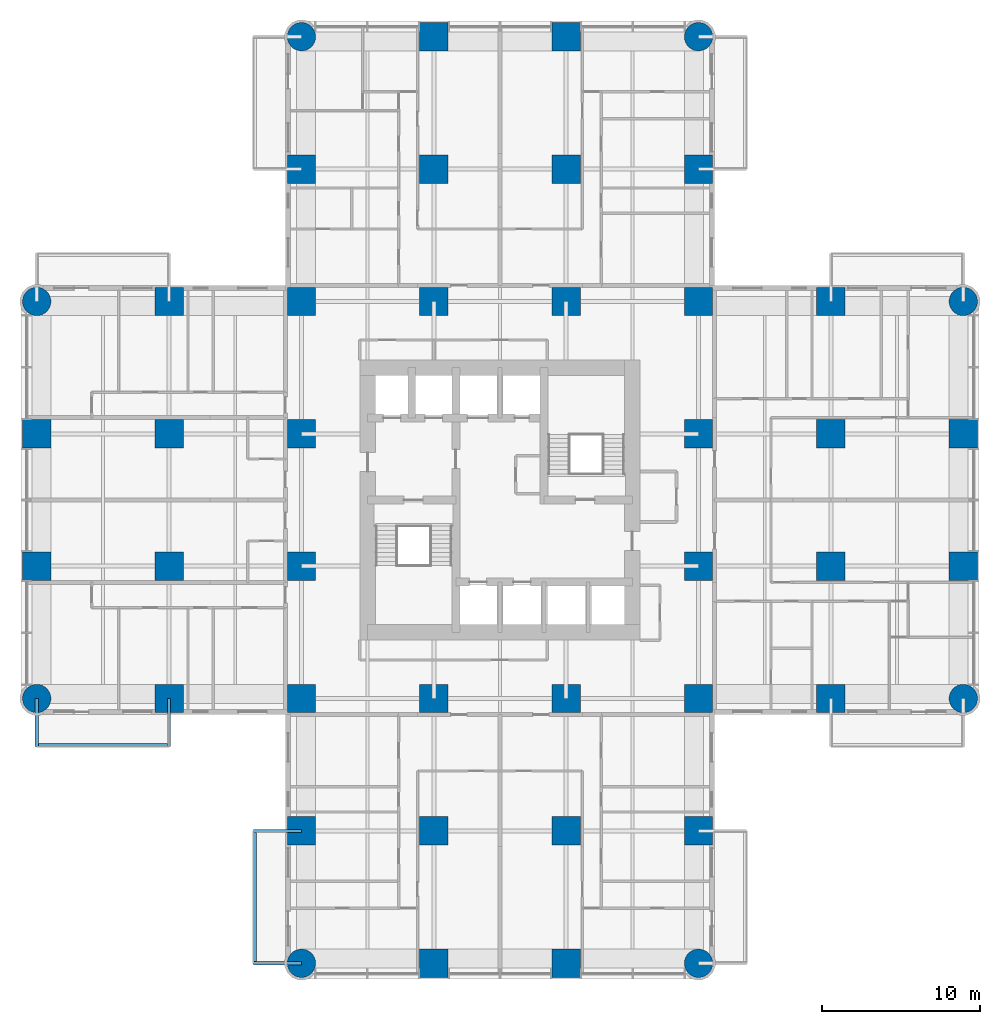
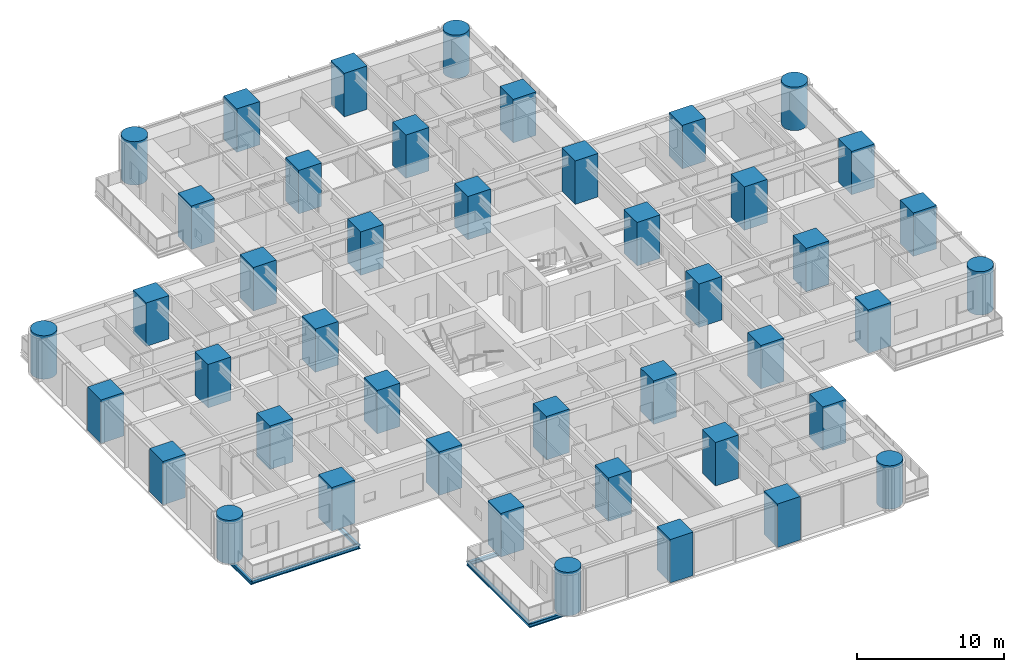
# One storey, part 1 of 17: 44 columns, 6 beams.
"""IFC4 building model written with IfcOpenShell, lengths in metres."""

from ifc_helpers import new_model, si_unit, direction, frame, origin, origin_2d, place, context, subcontext, project, spatial, rectangle, circle, i_section, extrude, material, material_profile, profile_set, type_object, element, save


model = new_model("IFC4")

# Units and contexts
model_context = context("Model", 3, precision=1e-05, world=origin(), true_north=direction((0.0, 1.0)))
body_context = subcontext(model_context, "Body", "Model", "MODEL_VIEW")
ifc_project = project(units=[si_unit("LENGTHUNIT", "METRE"), si_unit("AREAUNIT", "SQUARE_METRE"), si_unit("VOLUMEUNIT", "CUBIC_METRE"), si_unit("PLANEANGLEUNIT", "RADIAN"), si_unit("MASSUNIT", "GRAM", prefix="KILO")], contexts=[model_context])

# Site, building, storey
site_placement = place(None, origin())
site = spatial("IfcSite", under=ifc_project, at=site_placement, CompositionType="ELEMENT")
building_placement = place(site_placement, origin())
building = spatial("IfcBuilding", under=site, at=building_placement, Name="Torre Alcanfor", CompositionType="ELEMENT")
storey_placement = place(building_placement, frame((0.0, 0.0, 81.300048828125)))
storey = spatial("IfcBuildingStorey", under=building, at=storey_placement, Name="L20", CompositionType="ELEMENT", Elevation=81.300048828125)

# Columns
ifc_material_1 = material(Name="Concrete f'c 70 MPa", Category="concrete")
ifc_material_profile_1 = material_profile(ifc_material_1, rectangle(XDim=1.800048828125, YDim=1.800048828125, at=origin_2d()), Name="1800x1800")
ifc_profile_set_1 = profile_set([ifc_material_profile_1], Name="Concrete f'c 70 MPa")
column_type_1 = type_object("IfcColumnType", Name="RC column 1800x1800 f'c70", PredefinedType="COLUMN", material=ifc_profile_set_1)
for number, where, z_axis, x_axis, name in (
    (1, (0.0, 25.199951171875, 0.0), (0.0, 0.0, 1.0), (1.0, 0.0, 0.0), "Column 1/F L20"),
    (2, (0.0, 33.60009765625, 0.0), (0.0, 0.0, 1.0), (1.0, 0.0, 0.0), "Column 1/G L20"),
    (3, (8.39990234375, 16.800048828125, 0.0), (0.0, 0.0, 1.0), (1.0, 0.0, 0.0), "Column 2/E L20"),
    (4, (8.39990234375, 25.199951171875, 0.0), (0.0, 0.0, 1.0), (1.0, 0.0, 0.0), "Column 2/F L20"),
    (5, (8.39990234375, 33.60009765625, 0.0), (0.0, 0.0, 1.0), (1.0, 0.0, 0.0), "Column 2/G L20"),
    (6, (8.39990234375, 42.0, 0.0), (0.0, 0.0, 1.0), (1.0, 0.0, 0.0), "Column 2/H L20"),
    (7, (16.800048828125, 8.39990234375, 0.0), (0.0, 0.0, 1.0), (1.0, 0.0, 0.0), "Column 3/D L20"),
    (8, (16.800048828125, 16.800048828125, 0.0), (0.0, 0.0, 1.0), (1.0, 0.0, 0.0), "Column 3/E L20"),
    (9, (16.800048828125, 25.199951171875, 0.0), (0.0, 0.0, 1.0), (1.0, 0.0, 0.0), "Column 3/F L20"),
    (10, (16.800048828125, 33.60009765625, 0.0), (0.0, 0.0, 1.0), (1.0, 0.0, 0.0), "Column 3/G L20"),
    (11, (16.800048828125, 42.0, 0.0), (0.0, 0.0, 1.0), (1.0, 0.0, 0.0), "Column 3/H L20"),
    (12, (16.800048828125, 50.39990234375, 0.0), (0.0, 0.0, 1.0), (1.0, 0.0, 0.0), "Column 3/J L20"),
    (13, (25.199951171875, 0.0, 0.0), (0.0, 0.0, 1.0), (1.0, 0.0, 0.0), "Column 4/C L20"),
    (14, (25.199951171875, 8.39990234375, 0.0), (0.0, 0.0, 1.0), (1.0, 0.0, 0.0), "Column 4/D L20"),
    (15, (25.199951171875, 16.800048828125, 0.0), (0.0, 0.0, 1.0), (1.0, 0.0, 0.0), "Column 4/E L20"),
    (16, (25.199951171875, 42.0, 0.0), (0.0, 0.0, 1.0), (1.0, 0.0, 0.0), "Column 4/H L20"),
    (17, (25.199951171875, 50.39990234375, 0.0), (0.0, 0.0, 1.0), (1.0, 0.0, 0.0), "Column 4/J L20"),
    (18, (25.199951171875, 58.800048828125, 0.0), (0.0, 0.0, 1.0), (1.0, 0.0, 0.0), "Column 4/K L20"),
    (19, (33.60009765625, 0.0, 0.0), (0.0, 0.0, 1.0), (1.0, 0.0, 0.0), "Column 5/C L20"),
    (20, (33.60009765625, 8.39990234375, 0.0), (0.0, 0.0, 1.0), (1.0, 0.0, 0.0), "Column 5/D L20"),
    (21, (33.60009765625, 16.800048828125, 0.0), (0.0, 0.0, 1.0), (1.0, 0.0, 0.0), "Column 5/E L20"),
    (22, (33.60009765625, 42.0, 0.0), (0.0, 0.0, 1.0), (1.0, 0.0, 0.0), "Column 5/H L20"),
    (23, (33.60009765625, 50.39990234375, 0.0), (0.0, 0.0, 1.0), (1.0, 0.0, 0.0), "Column 5/J L20"),
    (24, (33.60009765625, 58.800048828125, 0.0), (0.0, 0.0, 1.0), (1.0, 0.0, 0.0), "Column 5/K L20"),
    (25, (42.0, 8.39990234375, 0.0), (0.0, 0.0, 1.0), (1.0, 0.0, 0.0), "Column 6/D L20"),
    (26, (42.0, 16.800048828125, 0.0), (0.0, 0.0, 1.0), (1.0, 0.0, 0.0), "Column 6/E L20"),
    (27, (42.0, 25.199951171875, 0.0), (0.0, 0.0, 1.0), (1.0, 0.0, 0.0), "Column 6/F L20"),
    (28, (42.0, 33.60009765625, 0.0), (0.0, 0.0, 1.0), (1.0, 0.0, 0.0), "Column 6/G L20"),
    (29, (42.0, 42.0, 0.0), (0.0, 0.0, 1.0), (1.0, 0.0, 0.0), "Column 6/H L20"),
    (30, (42.0, 50.39990234375, 0.0), (0.0, 0.0, 1.0), (1.0, 0.0, 0.0), "Column 6/J L20"),
    (31, (50.39990234375, 16.800048828125, 0.0), (0.0, 0.0, 1.0), (1.0, 0.0, 0.0), "Column 7/E L20"),
    (32, (50.39990234375, 25.199951171875, 0.0), (0.0, 0.0, 1.0), (1.0, 0.0, 0.0), "Column 7/F L20"),
    (33, (50.39990234375, 33.60009765625, 0.0), (0.0, 0.0, 1.0), (1.0, 0.0, 0.0), "Column 7/G L20"),
    (34, (50.39990234375, 42.0, 0.0), (0.0, 0.0, 1.0), (1.0, 0.0, 0.0), "Column 7/H L20"),
    (35, (58.800048828125, 25.199951171875, 0.0), (0.0, 0.0, 1.0), (1.0, 0.0, 0.0), "Column 8/F L20"),
    (36, (58.800048828125, 33.60009765625, 0.0), (0.0, 0.0, 1.0), (1.0, 0.0, 0.0), "Column 8/G L20"),
):
    element("IfcColumn", number, at=place(storey_placement, frame(where, z_axis=z_axis, x_axis=x_axis)), inside=storey, type_object=column_type_1, Name=name, PredefinedType="COLUMN", context=body_context, shape_type="SweptSolid", body=[
        extrude(rectangle(XDim=1.800048828125, YDim=1.800048828125, at=origin_2d()), origin(), (0.0, 0.0, 1.0), 3.599853515625),
    ])
ifc_material_2 = material(Name="Concrete f'c 70 MPa", Category="concrete")
ifc_material_profile_2 = material_profile(ifc_material_2, circle(Radius=0.89990234375, at=origin_2d()), Name="D1800")
ifc_profile_set_2 = profile_set([ifc_material_profile_2], Name="Concrete f'c 70 MPa")
column_type_2 = type_object("IfcColumnType", Name="RC column D1800 f'c70", PredefinedType="COLUMN", material=ifc_profile_set_2)
for number, where, z_axis, x_axis, name in (
    (37, (0.0, 16.800048828125, 0.0), (0.0, 0.0, 1.0), (1.0, 0.0, 0.0), "Column 1/E L20"),
    (38, (0.0, 42.0, 0.0), (0.0, 0.0, 1.0), (1.0, 0.0, 0.0), "Column 1/H L20"),
    (39, (16.800048828125, 0.0, 0.0), (0.0, 0.0, 1.0), (1.0, 0.0, 0.0), "Column 3/C L20"),
    (40, (16.800048828125, 58.800048828125, 0.0), (0.0, 0.0, 1.0), (1.0, 0.0, 0.0), "Column 3/K L20"),
    (41, (42.0, 0.0, 0.0), (0.0, 0.0, 1.0), (1.0, 0.0, 0.0), "Column 6/C L20"),
    (42, (42.0, 58.800048828125, 0.0), (0.0, 0.0, 1.0), (1.0, 0.0, 0.0), "Column 6/K L20"),
    (43, (58.800048828125, 16.800048828125, 0.0), (0.0, 0.0, 1.0), (1.0, 0.0, 0.0), "Column 8/E L20"),
    (44, (58.800048828125, 42.0, 0.0), (0.0, 0.0, 1.0), (1.0, 0.0, 0.0), "Column 8/H L20"),
):
    element("IfcColumn", number, at=place(storey_placement, frame(where, z_axis=z_axis, x_axis=x_axis)), inside=storey, type_object=column_type_2, Name=name, PredefinedType="COLUMN", context=body_context, shape_type="SweptSolid", body=[
        extrude(circle(Radius=0.89990234375, at=origin_2d()), origin(), (0.0, 0.0, 1.0), 3.599853515625),
    ])

# Beams
ifc_material_3 = material(Name="Steel ASTM A992 Grade 50", Category="steel")
ifc_material_profile_3 = material_profile(ifc_material_3, i_section(OverallWidth=0.205322265625, OverallDepth=0.309814453125, WebThickness=0.00927734375, FlangeThickness=0.016357421875, at=origin_2d()), Name="W12x50")
ifc_profile_set_3 = profile_set([ifc_material_profile_3], Name="Steel ASTM A992 Grade 50")
beam_type_1 = type_object("IfcBeamType", Name="Balcony cantilever beam W12x50", PredefinedType="BEAM", material=ifc_profile_set_3)
for number, where, z_axis, x_axis, name in (
    (45, (16.800048828125, 8.39990234375, -0.35498046875), (-1.0, 0.0, 0.0), (0.0, -1.0, 0.0), "Balcony cantilever beam L20-S2 1"),
    (46, (16.800048828125, 0.0, -0.35498046875), (-1.0, 0.0, 0.0), (0.0, -1.0, 0.0), "Balcony cantilever beam L20-S2 2"),
    (47, (8.39990234375, 16.800048828125, -0.35498046875), (0.0, -1.0, 0.0), (1.0, 0.0, 0.0), "Balcony cantilever beam L20-W1 1"),
    (48, (0.0, 16.800048828125, -0.35498046875), (0.0, -1.0, 0.0), (1.0, 0.0, 0.0), "Balcony cantilever beam L20-W1 2"),
):
    element("IfcBeam", number, at=place(storey_placement, frame(where, z_axis=z_axis, x_axis=x_axis)), inside=storey, type_object=beam_type_1, Name=name, PredefinedType="BEAM", context=body_context, shape_type="SweptSolid", body=[
        extrude(i_section(OverallWidth=0.205322265625, OverallDepth=0.309814453125, WebThickness=0.00927734375, FlangeThickness=0.016357421875, at=origin_2d()), origin(), (0.0, 0.0, 1.0), 3.050048828125),
    ])
ifc_material_4 = material(Name="Steel ASTM A992 Grade 50", Category="steel")
ifc_material_profile_4 = material_profile(ifc_material_4, i_section(OverallWidth=0.203369140625, OverallDepth=0.30224609375, WebThickness=0.007568359375, FlangeThickness=0.01318359375, at=origin_2d()), Name="W12x40")
ifc_profile_set_4 = profile_set([ifc_material_profile_4], Name="Steel ASTM A992 Grade 50")
beam_type_2 = type_object("IfcBeamType", Name="Balcony edge trimmer W12x40", PredefinedType="BEAM", material=ifc_profile_set_4)
for number, where, z_axis, x_axis, name in (
    (49, (13.851806640625, 8.39990234375, -0.35107421875), (0.0, -1.0, 0.0), (1.0, 0.0, 0.0), "Balcony edge trimmer L20-S2"),
    (50, (8.39990234375, 13.851806640625, -0.35107421875), (-1.0, 0.0, 0.0), (0.0, -1.0, 0.0), "Balcony edge trimmer L20-W1"),
):
    element("IfcBeam", number, at=place(storey_placement, frame(where, z_axis=z_axis, x_axis=x_axis)), inside=storey, type_object=beam_type_2, Name=name, PredefinedType="BEAM", context=body_context, shape_type="SweptSolid", body=[
        extrude(i_section(OverallWidth=0.203369140625, OverallDepth=0.30224609375, WebThickness=0.007568359375, FlangeThickness=0.01318359375, at=origin_2d()), origin(), (0.0, 0.0, 1.0), 8.39990234375),
    ])

save(model, "model.ifc")
